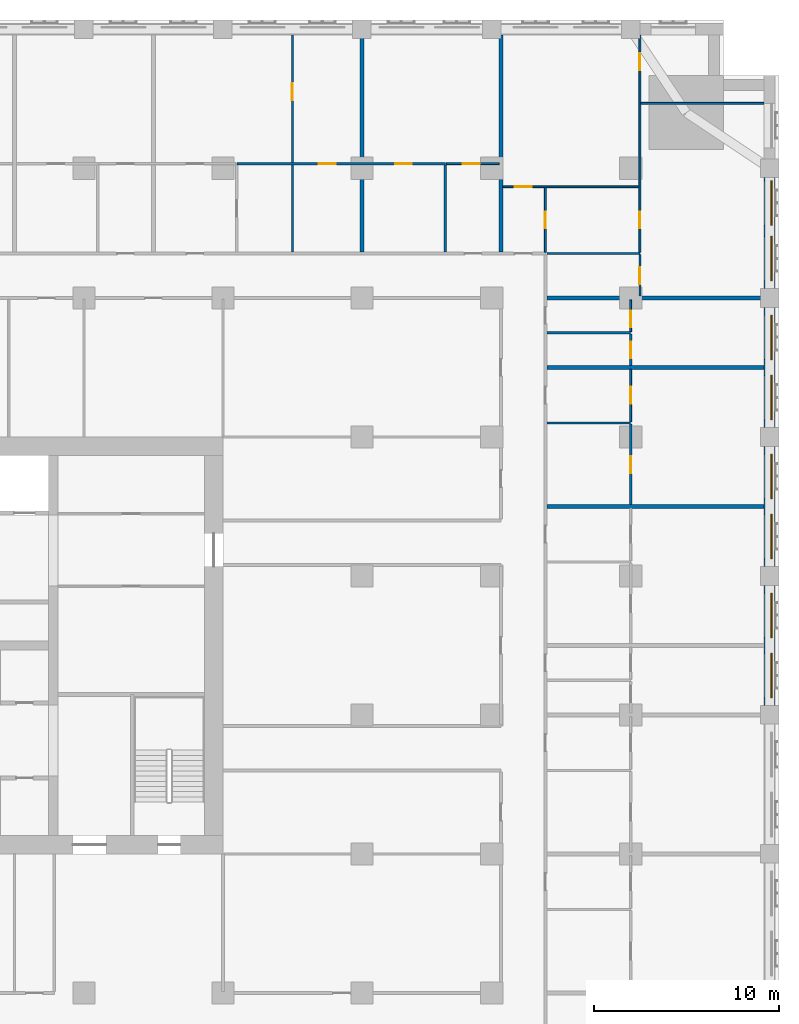
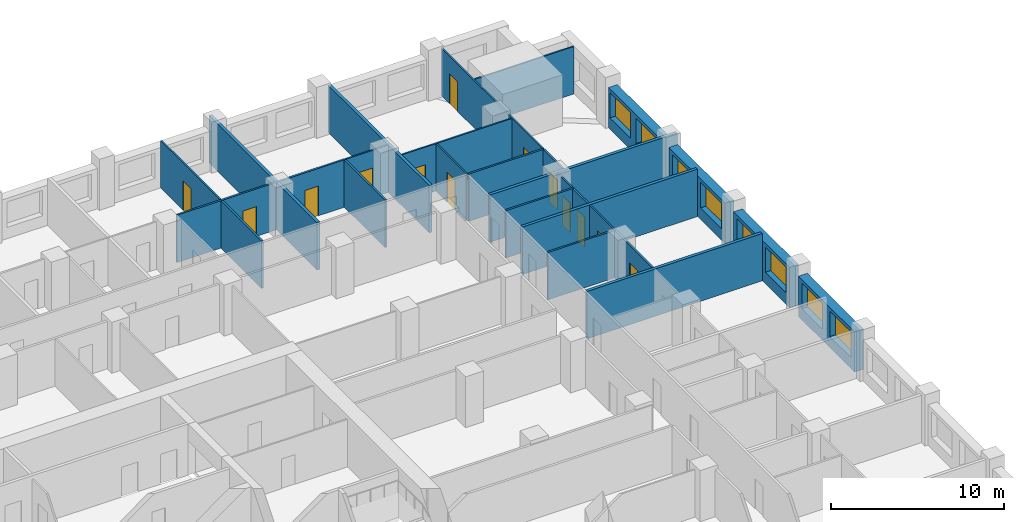
# One storey, part 10 of 14: 26 walls, 13 doors, 8 windows, 21 openings.
"""IFC4 building model written with IfcOpenShell, lengths in metres."""

from ifc_helpers import new_model, si_unit, direction, frame, frame_2d, origin, place, context, subcontext, project, spatial, rectangle, extrude, material, layer, layer_set, type_object, element, fill, save


model = new_model("IFC4")

# Units and contexts
model_context = context("Model", 3, precision=1e-05, world=origin(), true_north=direction((0.0, 1.0)))
body_context = subcontext(model_context, "Body", "Model", "MODEL_VIEW")
ifc_project = project(units=[si_unit("LENGTHUNIT", "METRE"), si_unit("AREAUNIT", "SQUARE_METRE"), si_unit("VOLUMEUNIT", "CUBIC_METRE"), si_unit("PLANEANGLEUNIT", "RADIAN"), si_unit("MASSUNIT", "GRAM", prefix="KILO")], contexts=[model_context])

# Site, building, storey
site_placement = place(None, origin())
site = spatial("IfcSite", under=ifc_project, at=site_placement, CompositionType="ELEMENT")
building_placement = place(site_placement, origin())
building = spatial("IfcBuilding", under=site, at=building_placement, Name="Tamorin Gate", CompositionType="ELEMENT")
storey_placement = place(building_placement, frame((0.0, 0.0, 52.0)))
storey = spatial("IfcBuildingStorey", under=building, at=storey_placement, Name="L11", CompositionType="ELEMENT", Elevation=52.0)

# Wall, openings, windows
ifc_material_1 = material(Name="Precast concrete C40/50", Category="concrete")
ifc_layer_1 = layer(ifc_material_1, 0.60009765625)
ifc_layer_set_1 = layer_set([ifc_layer_1], Name="Precast concrete C40/50")
wall_type_1 = type_object("IfcWallType", Name="Board-marked concrete facade panel 600", PredefinedType="SOLIDWALL", material=ifc_layer_set_1)
wall_1_placement = place(storey_placement, frame((89.5, 68.0, 0.0), z_axis=(0.0, 0.0, 1.0), x_axis=(0.0, 1.0, 0.0)))
wall_1 = element("IfcWall", 1, at=wall_1_placement, inside=storey, type_object=wall_type_1, Name="Facade panel", PredefinedType="SOLIDWALL", context=body_context, shape_type="SweptSolid", body=[
    extrude(rectangle(XDim=6.5, YDim=0.60009765625, at=frame_2d((3.25, 0.0))), origin(), (0.0, 0.0, 1.0), 2.85009765625),
])
opening_1_placement = place(wall_1_placement, frame((0.425048828125, 0.0, 0.800048828125)))
opening_1 = element("IfcOpeningElement", 2, at=opening_1_placement, cuts=wall_1, Name="Opening WN1", PredefinedType="OPENING", context=body_context, shape_type="SweptSolid", body=[
    extrude(rectangle(XDim=2.39990234375, YDim=1.800048828125, at=frame_2d((1.199951171875, 0.89990234375))), frame((0.0, 0.31005859375, 0.0), z_axis=(0.0, -1.0, 0.0), x_axis=(1.0, 0.0, 0.0)), (0.0, 0.0, 1.0), 0.6201171875),
])
opening_2_placement = place(wall_1_placement, frame((3.675048828125, 0.0, 0.800048828125)))
opening_2 = element("IfcOpeningElement", 3, at=opening_2_placement, cuts=wall_1, Name="Opening WN1", PredefinedType="OPENING", context=body_context, shape_type="SweptSolid", body=[
    extrude(rectangle(XDim=2.39990234375, YDim=1.800048828125, at=frame_2d((1.199951171875, 0.89990234375))), frame((0.0, 0.31005859375, 0.0), z_axis=(0.0, -1.0, 0.0), x_axis=(1.0, 0.0, 0.0)), (0.0, 0.0, 1.0), 0.6201171875),
])
ifc_material_2 = material(Name="Clear glass in aluminium frame", Category="aluminium")
window_type = type_object("IfcWindowType", Name="Deep-set window 2400x1800", PartitioningType="SINGLE_PANEL", PredefinedType="WINDOW", material=ifc_material_2)
window_1_placement = place(opening_1_placement, origin())
window_1 = element("IfcWindow", 4, at=window_1_placement, inside=storey, type_object=window_type, Name="Deep-set window", OverallHeight=1.800048828125, OverallWidth=2.39990234375, PartitioningType="SINGLE_PANEL", PredefinedType="WINDOW", context=body_context, shape_type="SweptSolid", body=[
    extrude(rectangle(XDim=2.39990234375, YDim=1.800048828125, at=frame_2d((1.199951171875, 0.89990234375))), frame((0.0, -0.070068359375, 0.0), z_axis=(0.0, -1.0, 0.0), x_axis=(1.0, 0.0, 0.0)), (0.0, 0.0, 1.0), 0.06005859375),
])
fill(opening_1, window_1)
window_2_placement = place(opening_2_placement, origin())
window_2 = element("IfcWindow", 5, at=window_2_placement, inside=storey, type_object=window_type, Name="Deep-set window", OverallHeight=1.800048828125, OverallWidth=2.39990234375, PartitioningType="SINGLE_PANEL", PredefinedType="WINDOW", context=body_context, shape_type="SweptSolid", body=[
    extrude(rectangle(XDim=2.39990234375, YDim=1.800048828125, at=frame_2d((1.199951171875, 0.89990234375))), frame((0.0, -0.070068359375, 0.0), z_axis=(0.0, -1.0, 0.0), x_axis=(1.0, 0.0, 0.0)), (0.0, 0.0, 1.0), 0.06005859375),
])
fill(opening_2, window_2)

wall_2_placement = place(storey_placement, frame((89.5, 75.5, 0.0), z_axis=(0.0, 0.0, 1.0), x_axis=(0.0, 1.0, 0.0)))
wall_2 = element("IfcWall", 6, at=wall_2_placement, inside=storey, type_object=wall_type_1, Name="Facade panel", PredefinedType="SOLIDWALL", context=body_context, shape_type="SweptSolid", body=[
    extrude(rectangle(XDim=6.5, YDim=0.60009765625, at=frame_2d((3.25, 0.0))), origin(), (0.0, 0.0, 1.0), 2.85009765625),
])
opening_3_placement = place(wall_2_placement, frame((0.425048828125, 0.0, 0.800048828125)))
opening_3 = element("IfcOpeningElement", 7, at=opening_3_placement, cuts=wall_2, Name="Opening WN1", PredefinedType="OPENING", context=body_context, shape_type="SweptSolid", body=[
    extrude(rectangle(XDim=2.39990234375, YDim=1.800048828125, at=frame_2d((1.199951171875, 0.89990234375))), frame((0.0, 0.31005859375, 0.0), z_axis=(0.0, -1.0, 0.0), x_axis=(1.0, 0.0, 0.0)), (0.0, 0.0, 1.0), 0.6201171875),
])
opening_4_placement = place(wall_2_placement, frame((3.675048828125, 0.0, 0.800048828125)))
opening_4 = element("IfcOpeningElement", 8, at=opening_4_placement, cuts=wall_2, Name="Opening WN1", PredefinedType="OPENING", context=body_context, shape_type="SweptSolid", body=[
    extrude(rectangle(XDim=2.39990234375, YDim=1.800048828125, at=frame_2d((1.199951171875, 0.89990234375))), frame((0.0, 0.31005859375, 0.0), z_axis=(0.0, -1.0, 0.0), x_axis=(1.0, 0.0, 0.0)), (0.0, 0.0, 1.0), 0.6201171875),
])
window_3_placement = place(opening_3_placement, origin())
window_3 = element("IfcWindow", 9, at=window_3_placement, inside=storey, type_object=window_type, Name="Deep-set window", OverallHeight=1.800048828125, OverallWidth=2.39990234375, PartitioningType="SINGLE_PANEL", PredefinedType="WINDOW", context=body_context, shape_type="SweptSolid", body=[
    extrude(rectangle(XDim=2.39990234375, YDim=1.800048828125, at=frame_2d((1.199951171875, 0.89990234375))), frame((0.0, -0.070068359375, 0.0), z_axis=(0.0, -1.0, 0.0), x_axis=(1.0, 0.0, 0.0)), (0.0, 0.0, 1.0), 0.06005859375),
])
fill(opening_3, window_3)
window_4_placement = place(opening_4_placement, origin())
window_4 = element("IfcWindow", 10, at=window_4_placement, inside=storey, type_object=window_type, Name="Deep-set window", OverallHeight=1.800048828125, OverallWidth=2.39990234375, PartitioningType="SINGLE_PANEL", PredefinedType="WINDOW", context=body_context, shape_type="SweptSolid", body=[
    extrude(rectangle(XDim=2.39990234375, YDim=1.800048828125, at=frame_2d((1.199951171875, 0.89990234375))), frame((0.0, -0.070068359375, 0.0), z_axis=(0.0, -1.0, 0.0), x_axis=(1.0, 0.0, 0.0)), (0.0, 0.0, 1.0), 0.06005859375),
])
fill(opening_4, window_4)

wall_3_placement = place(storey_placement, frame((89.5, 83.0, 0.0), z_axis=(0.0, 0.0, 1.0), x_axis=(0.0, 1.0, 0.0)))
wall_3 = element("IfcWall", 11, at=wall_3_placement, inside=storey, type_object=wall_type_1, Name="Facade panel", PredefinedType="SOLIDWALL", context=body_context, shape_type="SweptSolid", body=[
    extrude(rectangle(XDim=6.5, YDim=0.60009765625, at=frame_2d((3.25, 0.0))), origin(), (0.0, 0.0, 1.0), 2.85009765625),
])
opening_5_placement = place(wall_3_placement, frame((0.425048828125, 0.0, 0.800048828125)))
opening_5 = element("IfcOpeningElement", 12, at=opening_5_placement, cuts=wall_3, Name="Opening WN1", PredefinedType="OPENING", context=body_context, shape_type="SweptSolid", body=[
    extrude(rectangle(XDim=2.39990234375, YDim=1.800048828125, at=frame_2d((1.199951171875, 0.89990234375))), frame((0.0, 0.31005859375, 0.0), z_axis=(0.0, -1.0, 0.0), x_axis=(1.0, 0.0, 0.0)), (0.0, 0.0, 1.0), 0.6201171875),
])
opening_6_placement = place(wall_3_placement, frame((3.675048828125, 0.0, 0.800048828125)))
opening_6 = element("IfcOpeningElement", 13, at=opening_6_placement, cuts=wall_3, Name="Opening WN1", PredefinedType="OPENING", context=body_context, shape_type="SweptSolid", body=[
    extrude(rectangle(XDim=2.39990234375, YDim=1.800048828125, at=frame_2d((1.199951171875, 0.89990234375))), frame((0.0, 0.31005859375, 0.0), z_axis=(0.0, -1.0, 0.0), x_axis=(1.0, 0.0, 0.0)), (0.0, 0.0, 1.0), 0.6201171875),
])
window_5_placement = place(opening_5_placement, origin())
window_5 = element("IfcWindow", 14, at=window_5_placement, inside=storey, type_object=window_type, Name="Deep-set window", OverallHeight=1.800048828125, OverallWidth=2.39990234375, PartitioningType="SINGLE_PANEL", PredefinedType="WINDOW", context=body_context, shape_type="SweptSolid", body=[
    extrude(rectangle(XDim=2.39990234375, YDim=1.800048828125, at=frame_2d((1.199951171875, 0.89990234375))), frame((0.0, -0.070068359375, 0.0), z_axis=(0.0, -1.0, 0.0), x_axis=(1.0, 0.0, 0.0)), (0.0, 0.0, 1.0), 0.06005859375),
])
fill(opening_5, window_5)
window_6_placement = place(opening_6_placement, origin())
window_6 = element("IfcWindow", 15, at=window_6_placement, inside=storey, type_object=window_type, Name="Deep-set window", OverallHeight=1.800048828125, OverallWidth=2.39990234375, PartitioningType="SINGLE_PANEL", PredefinedType="WINDOW", context=body_context, shape_type="SweptSolid", body=[
    extrude(rectangle(XDim=2.39990234375, YDim=1.800048828125, at=frame_2d((1.199951171875, 0.89990234375))), frame((0.0, -0.070068359375, 0.0), z_axis=(0.0, -1.0, 0.0), x_axis=(1.0, 0.0, 0.0)), (0.0, 0.0, 1.0), 0.06005859375),
])
fill(opening_6, window_6)

wall_4_placement = place(storey_placement, frame((89.5, 90.5, 0.0), z_axis=(0.0, 0.0, 1.0), x_axis=(0.0, 1.0, 0.0)))
wall_4 = element("IfcWall", 16, at=wall_4_placement, inside=storey, type_object=wall_type_1, Name="Facade panel", PredefinedType="SOLIDWALL", context=body_context, shape_type="SweptSolid", body=[
    extrude(rectangle(XDim=6.0, YDim=0.60009765625, at=frame_2d((3.0, 0.0))), origin(), (0.0, 0.0, 1.0), 2.85009765625),
])
opening_7_placement = place(wall_4_placement, frame((0.425048828125, 0.0, 0.800048828125)))
opening_7 = element("IfcOpeningElement", 17, at=opening_7_placement, cuts=wall_4, Name="Opening WN1", PredefinedType="OPENING", context=body_context, shape_type="SweptSolid", body=[
    extrude(rectangle(XDim=2.39990234375, YDim=1.800048828125, at=frame_2d((1.199951171875, 0.89990234375))), frame((0.0, 0.31005859375, 0.0), z_axis=(0.0, -1.0, 0.0), x_axis=(1.0, 0.0, 0.0)), (0.0, 0.0, 1.0), 0.6201171875),
])
opening_8_placement = place(wall_4_placement, frame((3.425048828125, 0.0, 0.800048828125)))
opening_8 = element("IfcOpeningElement", 18, at=opening_8_placement, cuts=wall_4, Name="Opening WN1", PredefinedType="OPENING", context=body_context, shape_type="SweptSolid", body=[
    extrude(rectangle(XDim=2.39990234375, YDim=1.800048828125, at=frame_2d((1.199951171875, 0.89990234375))), frame((0.0, 0.31005859375, 0.0), z_axis=(0.0, -1.0, 0.0), x_axis=(1.0, 0.0, 0.0)), (0.0, 0.0, 1.0), 0.6201171875),
])
window_7_placement = place(opening_7_placement, origin())
window_7 = element("IfcWindow", 19, at=window_7_placement, inside=storey, type_object=window_type, Name="Deep-set window", OverallHeight=1.800048828125, OverallWidth=2.39990234375, PartitioningType="SINGLE_PANEL", PredefinedType="WINDOW", context=body_context, shape_type="SweptSolid", body=[
    extrude(rectangle(XDim=2.39990234375, YDim=1.800048828125, at=frame_2d((1.199951171875, 0.89990234375))), frame((0.0, -0.070068359375, 0.0), z_axis=(0.0, -1.0, 0.0), x_axis=(1.0, 0.0, 0.0)), (0.0, 0.0, 1.0), 0.06005859375),
])
fill(opening_7, window_7)
window_8_placement = place(opening_8_placement, origin())
window_8 = element("IfcWindow", 20, at=window_8_placement, inside=storey, type_object=window_type, Name="Deep-set window", OverallHeight=1.800048828125, OverallWidth=2.39990234375, PartitioningType="SINGLE_PANEL", PredefinedType="WINDOW", context=body_context, shape_type="SweptSolid", body=[
    extrude(rectangle(XDim=2.39990234375, YDim=1.800048828125, at=frame_2d((1.199951171875, 0.89990234375))), frame((0.0, -0.070068359375, 0.0), z_axis=(0.0, -1.0, 0.0), x_axis=(1.0, 0.0, 0.0)), (0.0, 0.0, 1.0), 0.06005859375),
])
fill(opening_8, window_8)

# Walls
ifc_material_3 = material(Name="Gypsum board partition")
ifc_layer_2 = layer(ifc_material_3, 0.199951171875)
ifc_layer_set_2 = layer_set([ifc_layer_2], Name="Demising wall 200")
wall_type_2 = type_object("IfcWallType", Name="Demising wall 200", PredefinedType="PARTITIONING", material=ifc_layer_set_2)
for number, where, z_axis, x_axis, name in (
    (21, (77.47509765625, 78.75, 0.0), (0.0, 0.0, 1.0), (1.0, 0.0, 0.0), "Demising wall 200"),
    (22, (77.47509765625, 86.25, 0.0), (0.0, 0.0, 1.0), (1.0, 0.0, 0.0), "Demising wall 200"),
):
    element("IfcWall", number, at=place(storey_placement, frame(where, z_axis=z_axis, x_axis=x_axis)), inside=storey, type_object=wall_type_2, Name=name, PredefinedType="PARTITIONING", context=body_context, shape_type="SweptSolid", body=[
        extrude(rectangle(XDim=11.71484375, YDim=0.199951171875, at=frame_2d((5.857421875, 0.0))), origin(), (0.0, 0.0, 1.0), 3.35009765625),
    ])
for number, where, z_axis, x_axis, name in (
    (23, (77.47509765625, 90.0, 0.0), (0.0, 0.0, 1.0), (1.0, 0.0, 0.0), "Demising wall 200"),
    (24, (67.5, 92.47509765625, 0.0), (0.0, 0.0, 1.0), (0.0, 1.0, 0.0), "Demising wall 200"),
):
    element("IfcWall", number, at=place(storey_placement, frame(where, z_axis=z_axis, x_axis=x_axis)), inside=storey, type_object=wall_type_2, Name=name, PredefinedType="PARTITIONING", context=body_context, shape_type="SweptSolid", body=[
        extrude(rectangle(XDim=12.52490234375, YDim=0.199951171875, at=frame_2d((6.262451171875, 0.0))), origin(), (0.0, 0.0, 1.0), 3.35009765625),
    ])
wall_5_placement = place(storey_placement, frame((75.0, 92.47509765625, 0.0), z_axis=(0.0, 0.0, 1.0), x_axis=(0.0, 1.0, 0.0)))
element("IfcWall", 25, at=wall_5_placement, inside=storey, type_object=wall_type_2, Name="Demising wall 200", PredefinedType="PARTITIONING", context=body_context, shape_type="SweptSolid", body=[
    extrude(rectangle(XDim=11.71484375, YDim=0.199951171875, at=frame_2d((5.857421875, 0.0))), origin(), (0.0, 0.0, 1.0), 3.35009765625),
])

# Wall, opening, door
ifc_layer_3 = layer(ifc_material_3, 0.10009765625)
ifc_layer_set_3 = layer_set([ifc_layer_3], Name="Room partition 100")
wall_type_3 = type_object("IfcWallType", Name="Room partition 100", PredefinedType="PARTITIONING", material=ifc_layer_set_3)
wall_6_placement = place(storey_placement, frame((75.10009765625, 96.0, 0.0), z_axis=(0.0, 0.0, 1.0), x_axis=(1.0, 0.0, 0.0)))
wall_6 = element("IfcWall", 26, at=wall_6_placement, inside=storey, type_object=wall_type_3, Name="Room partition 100", PredefinedType="PARTITIONING", context=body_context, shape_type="SweptSolid", body=[
    extrude(rectangle(XDim=7.349853515625, YDim=0.10009765625, at=frame_2d((3.6748046875, 0.0))), origin(), (0.0, 0.0, 1.0), 3.35009765625),
])
opening_9_placement = place(wall_6_placement, frame((0.64990234375, 0.0, 0.0)))
opening_9 = element("IfcOpeningElement", 27, at=opening_9_placement, cuts=wall_6, Name="Opening DH2062", PredefinedType="OPENING", context=body_context, shape_type="SweptSolid", body=[
    extrude(rectangle(XDim=0.89990234375, YDim=2.10009765625, at=frame_2d((0.449951171875, 1.050048828125))), frame((0.0, 0.06005859375, 0.0), z_axis=(0.0, -1.0, 0.0), x_axis=(1.0, 0.0, 0.0)), (0.0, 0.0, 1.0), 0.1201171875),
])
ifc_material_4 = material(Name="Timber door leaf", Category="wood")
door_type = type_object("IfcDoorType", Name="Door 900 x 2100", OperationType="NOTDEFINED", PredefinedType="DOOR", material=ifc_material_4)
door_1_placement = place(opening_9_placement, origin())
door_1 = element("IfcDoor", 28, at=door_1_placement, inside=storey, type_object=door_type, Name="Door DH2062", OperationType="SINGLE_SWING_LEFT", OverallHeight=2.10009765625, OverallWidth=0.89990234375, PredefinedType="DOOR", context=body_context, shape_type="SweptSolid", body=[
    extrude(rectangle(XDim=0.89990234375, YDim=2.10009765625, at=frame_2d((0.449951171875, 1.050048828125))), frame((0.0, 0.02490234375, 0.0), z_axis=(0.0, -1.0, 0.0), x_axis=(1.0, 0.0, 0.0)), (0.0, 0.0, 1.0), 0.050048828125),
])
fill(opening_9, door_1)

wall_7_placement = place(storey_placement, frame((72.0625, 97.25, 0.0), z_axis=(0.0, 0.0, 1.0), x_axis=(1.0, 0.0, 0.0)))
wall_7 = element("IfcWall", 29, at=wall_7_placement, inside=storey, type_object=wall_type_3, Name="Room partition 100", PredefinedType="PARTITIONING", context=body_context, shape_type="SweptSolid", body=[
    extrude(rectangle(XDim=2.83740234375, YDim=0.10009765625, at=frame_2d((1.418701171875, 0.0))), origin(), (0.0, 0.0, 1.0), 3.35009765625),
])
opening_10_placement = place(wall_7_placement, frame((0.887451171875, 0.0, 0.0)))
opening_10 = element("IfcOpeningElement", 30, at=opening_10_placement, cuts=wall_7, Name="Opening DH2036", PredefinedType="OPENING", context=body_context, shape_type="SweptSolid", body=[
    extrude(rectangle(XDim=0.89990234375, YDim=2.10009765625, at=frame_2d((0.449951171875, 1.050048828125))), frame((0.0, 0.06005859375, 0.0), z_axis=(0.0, -1.0, 0.0), x_axis=(1.0, 0.0, 0.0)), (0.0, 0.0, 1.0), 0.1201171875),
])
door_2_placement = place(opening_10_placement, origin())
door_2 = element("IfcDoor", 31, at=door_2_placement, inside=storey, type_object=door_type, Name="Door DH2036", OperationType="SINGLE_SWING_RIGHT", OverallHeight=2.10009765625, OverallWidth=0.89990234375, PredefinedType="DOOR", context=body_context, shape_type="SweptSolid", body=[
    extrude(rectangle(XDim=0.89990234375, YDim=2.10009765625, at=frame_2d((0.449951171875, 1.050048828125))), frame((0.0, 0.02490234375, 0.0), z_axis=(0.0, -1.0, 0.0), x_axis=(1.0, 0.0, 0.0)), (0.0, 0.0, 1.0), 0.050048828125),
])
fill(opening_10, door_2)

# Wall
wall_8_placement = place(storey_placement, frame((82.550048828125, 100.5, 0.0), z_axis=(0.0, 0.0, 1.0), x_axis=(1.0, 0.0, 0.0)))
element("IfcWall", 32, at=wall_8_placement, inside=storey, type_object=wall_type_3, Name="Room partition 100", PredefinedType="PARTITIONING", context=body_context, shape_type="SweptSolid", body=[
    extrude(rectangle(XDim=6.639892578125, YDim=0.10009765625, at=frame_2d((3.31982421875, 0.0))), origin(), (0.0, 0.0, 1.0), 3.35009765625),
])

# Wall, opening, door
wall_9_placement = place(storey_placement, frame((63.75, 97.3125, 0.0), z_axis=(0.0, 0.0, 1.0), x_axis=(0.0, 1.0, 0.0)))
wall_9 = element("IfcWall", 33, at=wall_9_placement, inside=storey, type_object=wall_type_3, Name="Room partition 100", PredefinedType="PARTITIONING", context=body_context, shape_type="SweptSolid", body=[
    extrude(rectangle(XDim=6.87744140625, YDim=0.10009765625, at=frame_2d((3.438720703125, 0.0))), origin(), (0.0, 0.0, 1.0), 3.35009765625),
])
opening_11_placement = place(wall_9_placement, frame((3.362548828125, 0.0, 0.0)))
opening_11 = element("IfcOpeningElement", 34, at=opening_11_placement, cuts=wall_9, Name="Opening DH2033", PredefinedType="OPENING", context=body_context, shape_type="SweptSolid", body=[
    extrude(rectangle(XDim=0.89990234375, YDim=2.10009765625, at=frame_2d((0.449951171875, 1.050048828125))), frame((0.0, 0.06005859375, 0.0), z_axis=(0.0, -1.0, 0.0), x_axis=(1.0, 0.0, 0.0)), (0.0, 0.0, 1.0), 0.1201171875),
])
door_3_placement = place(opening_11_placement, origin())
door_3 = element("IfcDoor", 35, at=door_3_placement, inside=storey, type_object=door_type, Name="Door DH2033", OperationType="SINGLE_SWING_LEFT", OverallHeight=2.10009765625, OverallWidth=0.89990234375, PredefinedType="DOOR", context=body_context, shape_type="SweptSolid", body=[
    extrude(rectangle(XDim=0.89990234375, YDim=2.10009765625, at=frame_2d((0.449951171875, 1.050048828125))), frame((0.0, 0.02490234375, 0.0), z_axis=(0.0, -1.0, 0.0), x_axis=(1.0, 0.0, 0.0)), (0.0, 0.0, 1.0), 0.050048828125),
])
fill(opening_11, door_3)

wall_10_placement = place(storey_placement, frame((77.39990234375, 92.47509765625, 0.0), z_axis=(0.0, 0.0, 1.0), x_axis=(0.0, 1.0, 0.0)))
wall_10 = element("IfcWall", 36, at=wall_10_placement, inside=storey, type_object=wall_type_3, Name="Room partition 100", PredefinedType="PARTITIONING", context=body_context, shape_type="SweptSolid", body=[
    extrude(rectangle(XDim=3.474853515625, YDim=0.10009765625, at=frame_2d((1.7373046875, 0.0))), origin(), (0.0, 0.0, 1.0), 3.35009765625),
])
opening_12_placement = place(wall_10_placement, frame((1.27490234375, 0.0, 0.0)))
opening_12 = element("IfcOpeningElement", 37, at=opening_12_placement, cuts=wall_10, Name="Opening DH2063", PredefinedType="OPENING", context=body_context, shape_type="SweptSolid", body=[
    extrude(rectangle(XDim=0.89990234375, YDim=2.10009765625, at=frame_2d((0.449951171875, 1.050048828125))), frame((0.0, 0.06005859375, 0.0), z_axis=(0.0, -1.0, 0.0), x_axis=(1.0, 0.0, 0.0)), (0.0, 0.0, 1.0), 0.1201171875),
])
door_4_placement = place(opening_12_placement, origin())
door_4 = element("IfcDoor", 38, at=door_4_placement, inside=storey, type_object=door_type, Name="Door DH2063", OperationType="SINGLE_SWING_RIGHT", OverallHeight=2.10009765625, OverallWidth=0.89990234375, PredefinedType="DOOR", context=body_context, shape_type="SweptSolid", body=[
    extrude(rectangle(XDim=0.89990234375, YDim=2.10009765625, at=frame_2d((0.449951171875, 1.050048828125))), frame((0.0, 0.02490234375, 0.0), z_axis=(0.0, -1.0, 0.0), x_axis=(1.0, 0.0, 0.0)), (0.0, 0.0, 1.0), 0.050048828125),
])
fill(opening_12, door_4)

wall_11_placement = place(storey_placement, frame((82.0, 83.3125, 0.0), z_axis=(0.0, 0.0, 1.0), x_axis=(0.0, 1.0, 0.0)))
wall_11 = element("IfcWall", 39, at=wall_11_placement, inside=storey, type_object=wall_type_3, Name="Room partition 100", PredefinedType="PARTITIONING", context=body_context, shape_type="SweptSolid", body=[
    extrude(rectangle(XDim=2.83740234375, YDim=0.10009765625, at=frame_2d((1.418701171875, 0.0))), origin(), (0.0, 0.0, 1.0), 3.35009765625),
])
opening_13_placement = place(wall_11_placement, frame((0.987548828125, 0.0, 0.0)))
opening_13 = element("IfcOpeningElement", 40, at=opening_13_placement, cuts=wall_11, Name="Opening DH2051", PredefinedType="OPENING", context=body_context, shape_type="SweptSolid", body=[
    extrude(rectangle(XDim=0.89990234375, YDim=2.10009765625, at=frame_2d((0.449951171875, 1.050048828125))), frame((0.0, 0.06005859375, 0.0), z_axis=(0.0, -1.0, 0.0), x_axis=(1.0, 0.0, 0.0)), (0.0, 0.0, 1.0), 0.1201171875),
])
door_5_placement = place(opening_13_placement, origin())
door_5 = element("IfcDoor", 41, at=door_5_placement, inside=storey, type_object=door_type, Name="Door DH2051", OperationType="SINGLE_SWING_LEFT", OverallHeight=2.10009765625, OverallWidth=0.89990234375, PredefinedType="DOOR", context=body_context, shape_type="SweptSolid", body=[
    extrude(rectangle(XDim=0.89990234375, YDim=2.10009765625, at=frame_2d((0.449951171875, 1.050048828125))), frame((0.0, 0.02490234375, 0.0), z_axis=(0.0, -1.0, 0.0), x_axis=(1.0, 0.0, 0.0)), (0.0, 0.0, 1.0), 0.050048828125),
])
fill(opening_13, door_5)

wall_12_placement = place(storey_placement, frame((82.0, 88.1875, 0.0), z_axis=(0.0, 0.0, 1.0), x_axis=(0.0, 1.0, 0.0)))
wall_12 = element("IfcWall", 42, at=wall_12_placement, inside=storey, type_object=wall_type_3, Name="Room partition 100", PredefinedType="PARTITIONING", context=body_context, shape_type="SweptSolid", body=[
    extrude(rectangle(XDim=1.71240234375, YDim=0.10009765625, at=frame_2d((0.856201171875, 0.0))), origin(), (0.0, 0.0, 1.0), 3.35009765625),
])
opening_14_placement = place(wall_12_placement, frame((0.22509765625, 0.0, 0.0)))
opening_14 = element("IfcOpeningElement", 43, at=opening_14_placement, cuts=wall_12, Name="Opening DH2054", PredefinedType="OPENING", context=body_context, shape_type="SweptSolid", body=[
    extrude(rectangle(XDim=0.89990234375, YDim=2.10009765625, at=frame_2d((0.449951171875, 1.050048828125))), frame((0.0, 0.06005859375, 0.0), z_axis=(0.0, -1.0, 0.0), x_axis=(1.0, 0.0, 0.0)), (0.0, 0.0, 1.0), 0.1201171875),
])
door_6_placement = place(opening_14_placement, origin())
door_6 = element("IfcDoor", 44, at=door_6_placement, inside=storey, type_object=door_type, Name="Door DH2054", OperationType="SINGLE_SWING_LEFT", OverallHeight=2.10009765625, OverallWidth=0.89990234375, PredefinedType="DOOR", context=body_context, shape_type="SweptSolid", body=[
    extrude(rectangle(XDim=0.89990234375, YDim=2.10009765625, at=frame_2d((0.449951171875, 1.050048828125))), frame((0.0, 0.02490234375, 0.0), z_axis=(0.0, -1.0, 0.0), x_axis=(1.0, 0.0, 0.0)), (0.0, 0.0, 1.0), 0.050048828125),
])
fill(opening_14, door_6)

# Wall, openings, doors
wall_13_placement = place(storey_placement, frame((82.5, 92.46240234375, 0.0), z_axis=(0.0, 0.0, 1.0), x_axis=(0.0, 1.0, 0.0)))
wall_13 = element("IfcWall", 45, at=wall_13_placement, inside=storey, type_object=wall_type_3, Name="Room partition 100", PredefinedType="PARTITIONING", context=body_context, shape_type="SweptSolid", body=[
    extrude(rectangle(XDim=11.7275390625, YDim=0.10009765625, at=frame_2d((5.86376953125, 0.0))), origin(), (0.0, 0.0, 1.0), 3.35009765625),
])
opening_15_placement = place(wall_13_placement, frame((9.83740234375, 0.0, 0.0)))
opening_15 = element("IfcOpeningElement", 46, at=opening_15_placement, cuts=wall_13, Name="Opening DH2064", PredefinedType="OPENING", context=body_context, shape_type="SweptSolid", body=[
    extrude(rectangle(XDim=0.89990234375, YDim=2.10009765625, at=frame_2d((0.449951171875, 1.050048828125))), frame((0.0, 0.06005859375, 0.0), z_axis=(0.0, -1.0, 0.0), x_axis=(1.0, 0.0, 0.0)), (0.0, 0.0, 1.0), 0.1201171875),
])
opening_16_placement = place(wall_13_placement, frame((1.28759765625, 0.0, 0.0)))
opening_16 = element("IfcOpeningElement", 47, at=opening_16_placement, cuts=wall_13, Name="Opening DH2065", PredefinedType="OPENING", context=body_context, shape_type="SweptSolid", body=[
    extrude(rectangle(XDim=0.89990234375, YDim=2.10009765625, at=frame_2d((0.449951171875, 1.050048828125))), frame((0.0, 0.06005859375, 0.0), z_axis=(0.0, -1.0, 0.0), x_axis=(1.0, 0.0, 0.0)), (0.0, 0.0, 1.0), 0.1201171875),
])
door_7_placement = place(opening_15_placement, origin())
door_7 = element("IfcDoor", 48, at=door_7_placement, inside=storey, type_object=door_type, Name="Door DH2064", OperationType="SINGLE_SWING_LEFT", OverallHeight=2.10009765625, OverallWidth=0.89990234375, PredefinedType="DOOR", context=body_context, shape_type="SweptSolid", body=[
    extrude(rectangle(XDim=0.89990234375, YDim=2.10009765625, at=frame_2d((0.449951171875, 1.050048828125))), frame((0.0, 0.02490234375, 0.0), z_axis=(0.0, -1.0, 0.0), x_axis=(1.0, 0.0, 0.0)), (0.0, 0.0, 1.0), 0.050048828125),
])
fill(opening_15, door_7)
door_8_placement = place(opening_16_placement, origin())
door_8 = element("IfcDoor", 49, at=door_8_placement, inside=storey, type_object=door_type, Name="Door DH2065", OperationType="SINGLE_SWING_RIGHT", OverallHeight=2.10009765625, OverallWidth=0.89990234375, PredefinedType="DOOR", context=body_context, shape_type="SweptSolid", body=[
    extrude(rectangle(XDim=0.89990234375, YDim=2.10009765625, at=frame_2d((0.449951171875, 1.050048828125))), frame((0.0, 0.02490234375, 0.0), z_axis=(0.0, -1.0, 0.0), x_axis=(1.0, 0.0, 0.0)), (0.0, 0.0, 1.0), 0.050048828125),
])
fill(opening_16, door_8)

# Walls
ifc_layer_4 = layer(ifc_material_3, 0.125)
ifc_layer_set_4 = layer_set([ifc_layer_4], Name="Wet wall 125")
wall_type_4 = type_object("IfcWallType", Name="Wet wall 125", PredefinedType="PARTITIONING", material=ifc_layer_set_4)
for number, where, z_axis, x_axis, name in (
    (50, (77.47509765625, 83.25, 0.0), (0.0, 0.0, 1.0), (1.0, 0.0, 0.0), "Wet wall 125"),
    (51, (77.47509765625, 88.125, 0.0), (0.0, 0.0, 1.0), (1.0, 0.0, 0.0), "Wet wall 125"),
):
    element("IfcWall", number, at=place(storey_placement, frame(where, z_axis=z_axis, x_axis=x_axis)), inside=storey, type_object=wall_type_4, Name=name, PredefinedType="PARTITIONING", context=body_context, shape_type="SweptSolid", body=[
        extrude(rectangle(XDim=4.52490234375, YDim=0.125, at=frame_2d((2.262451171875, 0.0))), origin(), (0.0, 0.0, 1.0), 3.35009765625),
    ])
wall_14_placement = place(storey_placement, frame((77.47509765625, 92.39990234375, 0.0), z_axis=(0.0, 0.0, 1.0), x_axis=(1.0, 0.0, 0.0)))
element("IfcWall", 52, at=wall_14_placement, inside=storey, type_object=wall_type_4, Name="Wet wall 125", PredefinedType="PARTITIONING", context=body_context, shape_type="SweptSolid", body=[
    extrude(rectangle(XDim=5.02490234375, YDim=0.125, at=frame_2d((2.512451171875, 0.0))), origin(), (0.0, 0.0, 1.0), 3.35009765625),
])

# Wall, openings, doors
wall_15_placement = place(storey_placement, frame((60.75, 97.25, 0.0), z_axis=(0.0, 0.0, 1.0), x_axis=(1.0, 0.0, 0.0)))
wall_15 = element("IfcWall", 53, at=wall_15_placement, inside=storey, type_object=wall_type_4, Name="Wet wall 125", PredefinedType="PARTITIONING", context=body_context, shape_type="SweptSolid", body=[
    extrude(rectangle(XDim=11.25, YDim=0.125, at=frame_2d((5.625, 0.0))), origin(), (0.0, 0.0, 1.0), 3.35009765625),
])
opening_17_placement = place(wall_15_placement, frame((4.425048828125, 0.0, 0.0)))
opening_17 = element("IfcOpeningElement", 54, at=opening_17_placement, cuts=wall_15, Name="Opening DH2032", PredefinedType="OPENING", context=body_context, shape_type="SweptSolid", body=[
    extrude(rectangle(XDim=0.89990234375, YDim=2.10009765625, at=frame_2d((0.449951171875, 1.050048828125))), frame((0.0, 0.072509765625, 0.0), z_axis=(0.0, -1.0, 0.0), x_axis=(1.0, 0.0, 0.0)), (0.0, 0.0, 1.0), 0.14501953125),
])
opening_18_placement = place(wall_15_placement, frame((8.550048828125, 0.0, 0.0)))
opening_18 = element("IfcOpeningElement", 55, at=opening_18_placement, cuts=wall_15, Name="Opening DH2034", PredefinedType="OPENING", context=body_context, shape_type="SweptSolid", body=[
    extrude(rectangle(XDim=0.89990234375, YDim=2.10009765625, at=frame_2d((0.449951171875, 1.050048828125))), frame((0.0, 0.072509765625, 0.0), z_axis=(0.0, -1.0, 0.0), x_axis=(1.0, 0.0, 0.0)), (0.0, 0.0, 1.0), 0.14501953125),
])
door_9_placement = place(opening_17_placement, origin())
door_9 = element("IfcDoor", 56, at=door_9_placement, inside=storey, type_object=door_type, Name="Door DH2032", OperationType="SINGLE_SWING_RIGHT", OverallHeight=2.10009765625, OverallWidth=0.89990234375, PredefinedType="DOOR", context=body_context, shape_type="SweptSolid", body=[
    extrude(rectangle(XDim=0.89990234375, YDim=2.10009765625, at=frame_2d((0.449951171875, 1.050048828125))), frame((0.0, 0.02490234375, 0.0), z_axis=(0.0, -1.0, 0.0), x_axis=(1.0, 0.0, 0.0)), (0.0, 0.0, 1.0), 0.050048828125),
])
fill(opening_17, door_9)
door_10_placement = place(opening_18_placement, origin())
door_10 = element("IfcDoor", 57, at=door_10_placement, inside=storey, type_object=door_type, Name="Door DH2034", OperationType="SINGLE_SWING_RIGHT", OverallHeight=2.10009765625, OverallWidth=0.89990234375, PredefinedType="DOOR", context=body_context, shape_type="SweptSolid", body=[
    extrude(rectangle(XDim=0.89990234375, YDim=2.10009765625, at=frame_2d((0.449951171875, 1.050048828125))), frame((0.0, 0.02490234375, 0.0), z_axis=(0.0, -1.0, 0.0), x_axis=(1.0, 0.0, 0.0)), (0.0, 0.0, 1.0), 0.050048828125),
])
fill(opening_18, door_10)

# Walls
for number, where, z_axis, x_axis, name in (
    (58, (63.75, 92.47509765625, 0.0), (0.0, 0.0, 1.0), (0.0, 1.0, 0.0), "Wet wall 125"),
    (59, (72.0, 92.47509765625, 0.0), (0.0, 0.0, 1.0), (0.0, 1.0, 0.0), "Wet wall 125"),
):
    element("IfcWall", number, at=place(storey_placement, frame(where, z_axis=z_axis, x_axis=x_axis)), inside=storey, type_object=wall_type_4, Name=name, PredefinedType="PARTITIONING", context=body_context, shape_type="SweptSolid", body=[
        extrude(rectangle(XDim=4.71240234375, YDim=0.125, at=frame_2d((2.356201171875, 0.0))), origin(), (0.0, 0.0, 1.0), 3.35009765625),
    ])

# Wall, opening, door
wall_16_placement = place(storey_placement, frame((82.0, 78.85009765625, 0.0), z_axis=(0.0, 0.0, 1.0), x_axis=(0.0, 1.0, 0.0)))
wall_16 = element("IfcWall", 60, at=wall_16_placement, inside=storey, type_object=wall_type_4, Name="Wet wall 125", PredefinedType="PARTITIONING", context=body_context, shape_type="SweptSolid", body=[
    extrude(rectangle(XDim=4.33740234375, YDim=0.125, at=frame_2d((2.168701171875, 0.0))), origin(), (0.0, 0.0, 1.0), 3.35009765625),
])
opening_19_placement = place(wall_16_placement, frame((1.699951171875, 0.0, 0.0)))
opening_19 = element("IfcOpeningElement", 61, at=opening_19_placement, cuts=wall_16, Name="Opening DH2049", PredefinedType="OPENING", context=body_context, shape_type="SweptSolid", body=[
    extrude(rectangle(XDim=0.89990234375, YDim=2.10009765625, at=frame_2d((0.449951171875, 1.050048828125))), frame((0.0, 0.072509765625, 0.0), z_axis=(0.0, -1.0, 0.0), x_axis=(1.0, 0.0, 0.0)), (0.0, 0.0, 1.0), 0.14501953125),
])
door_11_placement = place(opening_19_placement, origin())
door_11 = element("IfcDoor", 62, at=door_11_placement, inside=storey, type_object=door_type, Name="Door DH2049", OperationType="SINGLE_SWING_LEFT", OverallHeight=2.10009765625, OverallWidth=0.89990234375, PredefinedType="DOOR", context=body_context, shape_type="SweptSolid", body=[
    extrude(rectangle(XDim=0.89990234375, YDim=2.10009765625, at=frame_2d((0.449951171875, 1.050048828125))), frame((0.0, 0.02490234375, 0.0), z_axis=(0.0, -1.0, 0.0), x_axis=(1.0, 0.0, 0.0)), (0.0, 0.0, 1.0), 0.050048828125),
])
fill(opening_19, door_11)

wall_17_placement = place(storey_placement, frame((82.0, 86.35009765625, 0.0), z_axis=(0.0, 0.0, 1.0), x_axis=(0.0, 1.0, 0.0)))
wall_17 = element("IfcWall", 63, at=wall_17_placement, inside=storey, type_object=wall_type_4, Name="Wet wall 125", PredefinedType="PARTITIONING", context=body_context, shape_type="SweptSolid", body=[
    extrude(rectangle(XDim=1.71240234375, YDim=0.125, at=frame_2d((0.856201171875, 0.0))), origin(), (0.0, 0.0, 1.0), 3.35009765625),
])
opening_20_placement = place(wall_17_placement, frame((0.387451171875, 0.0, 0.0)))
opening_20 = element("IfcOpeningElement", 64, at=opening_20_placement, cuts=wall_17, Name="Opening DH2052", PredefinedType="OPENING", context=body_context, shape_type="SweptSolid", body=[
    extrude(rectangle(XDim=0.89990234375, YDim=2.10009765625, at=frame_2d((0.449951171875, 1.050048828125))), frame((0.0, 0.072509765625, 0.0), z_axis=(0.0, -1.0, 0.0), x_axis=(1.0, 0.0, 0.0)), (0.0, 0.0, 1.0), 0.14501953125),
])
door_12_placement = place(opening_20_placement, origin())
door_12 = element("IfcDoor", 65, at=door_12_placement, inside=storey, type_object=door_type, Name="Door DH2052", OperationType="SINGLE_SWING_LEFT", OverallHeight=2.10009765625, OverallWidth=0.89990234375, PredefinedType="DOOR", context=body_context, shape_type="SweptSolid", body=[
    extrude(rectangle(XDim=0.89990234375, YDim=2.10009765625, at=frame_2d((0.449951171875, 1.050048828125))), frame((0.0, 0.02490234375, 0.0), z_axis=(0.0, -1.0, 0.0), x_axis=(1.0, 0.0, 0.0)), (0.0, 0.0, 1.0), 0.050048828125),
])
fill(opening_20, door_12)

wall_18_placement = place(storey_placement, frame((82.5, 90.10009765625, 0.0), z_axis=(0.0, 0.0, 1.0), x_axis=(0.0, 1.0, 0.0)))
wall_18 = element("IfcWall", 66, at=wall_18_placement, inside=storey, type_object=wall_type_4, Name="Wet wall 125", PredefinedType="PARTITIONING", context=body_context, shape_type="SweptSolid", body=[
    extrude(rectangle(XDim=2.2373046875, YDim=0.125, at=frame_2d((1.11865234375, 0.0))), origin(), (0.0, 0.0, 1.0), 3.35009765625),
])
opening_21_placement = place(wall_18_placement, frame((0.64990234375, 0.0, 0.0)))
opening_21 = element("IfcOpeningElement", 67, at=opening_21_placement, cuts=wall_18, Name="Opening DH2066", PredefinedType="OPENING", context=body_context, shape_type="SweptSolid", body=[
    extrude(rectangle(XDim=0.89990234375, YDim=2.10009765625, at=frame_2d((0.449951171875, 1.050048828125))), frame((0.0, 0.072509765625, 0.0), z_axis=(0.0, -1.0, 0.0), x_axis=(1.0, 0.0, 0.0)), (0.0, 0.0, 1.0), 0.14501953125),
])
door_13_placement = place(opening_21_placement, origin())
door_13 = element("IfcDoor", 68, at=door_13_placement, inside=storey, type_object=door_type, Name="Door DH2066", OperationType="SINGLE_SWING_LEFT", OverallHeight=2.10009765625, OverallWidth=0.89990234375, PredefinedType="DOOR", context=body_context, shape_type="SweptSolid", body=[
    extrude(rectangle(XDim=0.89990234375, YDim=2.10009765625, at=frame_2d((0.449951171875, 1.050048828125))), frame((0.0, 0.02490234375, 0.0), z_axis=(0.0, -1.0, 0.0), x_axis=(1.0, 0.0, 0.0)), (0.0, 0.0, 1.0), 0.050048828125),
])
fill(opening_21, door_13)

save(model, "model.ifc")
